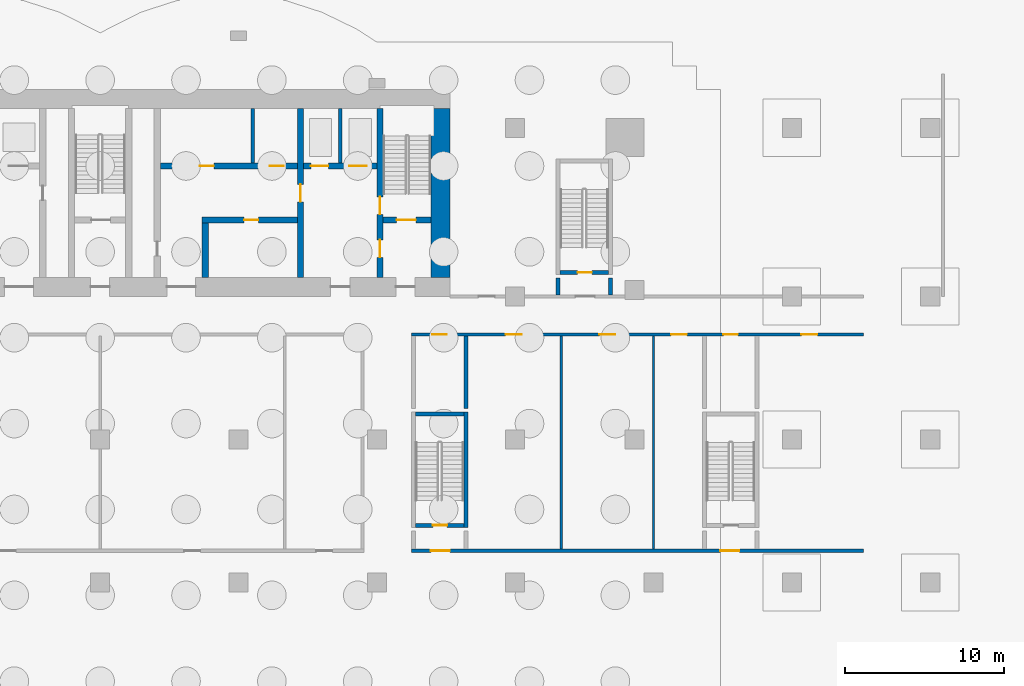
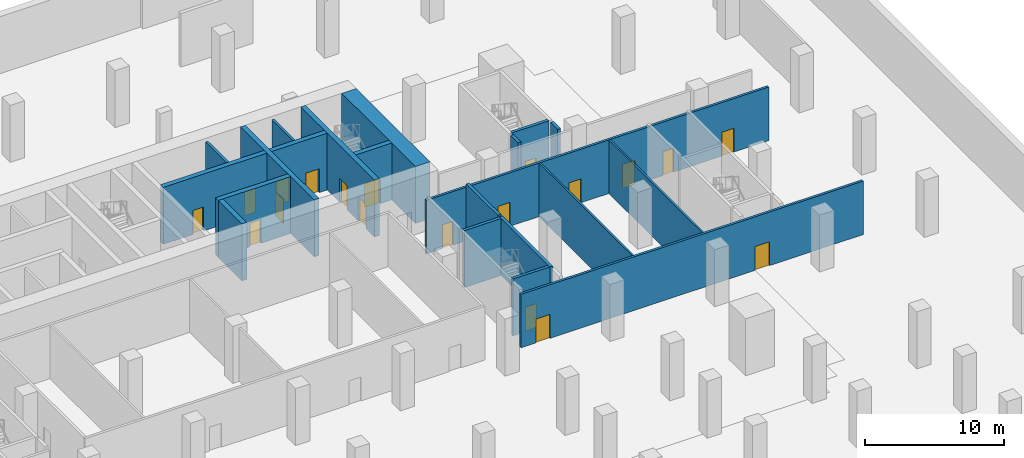
# One storey, part 5 of 10: 20 walls, 19 doors, 19 openings.
"""IFC4 building model written with IfcOpenShell, lengths in metres."""

import ifcopenshell
import ifcopenshell.guid

model = None  # the IFC model being written
_history = None  # IfcOwnerHistory: only IFC2X3 demands one
_inside = {}  # id of a spatial element -> (the spatial element, [elements in it])
_under = {}  # id of a project, library or spatial element -> (it, [spatial elements below it])
_declared = {}  # id of a project -> (the project, [libraries it declares])
_typed = {}  # id of a type object -> (the type object, [elements of that type])
_made_of = {}  # id of a material, layer set ... -> (it, [elements and type objects made of it])


def new_model(schema):
    """Start an empty IFC model of exactly this schema.

    Asked for "IFC4X3", IfcOpenShell would pick the latest addendum, in which some entities
    have other attributes; the version numbers below select the first issue.
    IFC2X3 requires an IfcOwnerHistory on every rooted entity: one is made here for all.
    """
    global model, _history
    if schema == "IFC4X3":
        model = ifcopenshell.file(schema_version=(4, 3, 0, 0))
    else:
        model = ifcopenshell.file(schema=schema)
    _inside.clear()
    _under.clear()
    _declared.clear()
    _typed.clear()
    _made_of.clear()
    _history = None
    if model.schema == "IFC2X3":
        org = make("IfcOrganization", Name="unknown")
        user = make(
            "IfcPersonAndOrganization",
            ThePerson=make("IfcPerson", FamilyName="unknown"),
            TheOrganization=org,
        )
        app = make(
            "IfcApplication",
            ApplicationDeveloper=org,
            Version="unknown",
            ApplicationFullName="unknown",
            ApplicationIdentifier="unknown",
        )
        _history = make(
            "IfcOwnerHistory",
            OwningUser=user,
            OwningApplication=app,
            ChangeAction="ADDED",
            CreationDate=0,
        )
    return model


def make(cls, **values):
    """One entity of the class cls with the attributes given. An attribute that is None is left unset."""
    return model.create_entity(
        cls, **{name: value for name, value in values.items() if value is not None}
    )


def rooted(cls, **values):
    """An entity with a GlobalId (a new one), such as an element, a storey or a relation."""
    return make(cls, GlobalId=ifcopenshell.guid.new(), OwnerHistory=_history, **values)


def si_unit(unit_type, name, prefix=None):
    """IfcSIUnit, for example si_unit("LENGTHUNIT", "METRE", prefix="MILLI")."""
    return make("IfcSIUnit", UnitType=unit_type, Prefix=prefix, Name=name)


def assignment(units):
    """IfcUnitAssignment: the units of a project."""
    return None if units is None else make("IfcUnitAssignment", Units=units)


def point(xyz):
    """IfcCartesianPoint."""
    return None if xyz is None else make("IfcCartesianPoint", Coordinates=xyz)


def direction(xyz):
    """IfcDirection."""
    return None if xyz is None else make("IfcDirection", DirectionRatios=xyz)


def frame(location, z_axis=None, x_axis=None):
    """IfcAxis2Placement3D, a coordinate frame: its origin and axes. An axis left out is left unset."""
    return make(
        "IfcAxis2Placement3D",
        Location=point(location),
        Axis=direction(z_axis),
        RefDirection=direction(x_axis),
    )


def frame_2d(location, x_axis=None):
    """IfcAxis2Placement2D, a coordinate frame in the plane: its origin and x axis."""
    return make(
        "IfcAxis2Placement2D", Location=point(location), RefDirection=direction(x_axis)
    )


def origin():
    """The frame at (0, 0, 0) with its axes left unset."""
    return frame((0.0, 0.0, 0.0))


def place(relative_to, where):
    """IfcLocalPlacement: puts the frame where relative to a parent placement (None: the world)."""
    return make(
        "IfcLocalPlacement", PlacementRelTo=relative_to, RelativePlacement=where
    )


def context(
    kind, dimensions, precision=None, world=None, true_north=None, identifier=None
):
    """IfcGeometricRepresentationContext, for example the 3D "Model" context."""
    return make(
        "IfcGeometricRepresentationContext",
        ContextIdentifier=identifier,
        ContextType=kind,
        CoordinateSpaceDimension=dimensions,
        Precision=precision,
        WorldCoordinateSystem=world,
        TrueNorth=true_north,
    )


def subcontext(parent, identifier, kind, view, scale=None):
    """IfcGeometricRepresentationSubContext, for example "Body" below "Model"."""
    return make(
        "IfcGeometricRepresentationSubContext",
        ContextIdentifier=identifier,
        ContextType=kind,
        ParentContext=parent,
        TargetScale=scale,
        TargetView=view,
    )


def project(units=None, contexts=None):
    """IfcProject with its units and contexts."""
    return rooted(
        "IfcProject",
        Name="project",
        RepresentationContexts=contexts,
        UnitsInContext=assignment(units),
    )


def spatial(cls, under=None, at=None, **own):
    """A site, building, storey or space (cls), placed at a placement, below another one or the project."""
    s = rooted(cls, ObjectPlacement=at, **own)
    if under is not None:
        _under.setdefault(under.id(), (under, []))[1].append(s)
    return s


def profile(cls, at=None, kind="AREA", **sizes):
    """A parametric profile (cls). Its sizes go by their IFC names, for example OverallWidth=200.0."""
    return make(cls, ProfileType=kind, Position=at, **sizes)


def rectangle(**sizes):
    """IfcRectangleProfileDef."""
    return profile("IfcRectangleProfileDef", **sizes)


def extrude(swept, where, along, depth):
    """IfcExtrudedAreaSolid: the profile swept, set in the frame where, extruded along a direction by depth."""
    return make(
        "IfcExtrudedAreaSolid",
        SweptArea=swept,
        Position=where,
        ExtrudedDirection=direction(along),
        Depth=depth,
    )


def shape(context_of_items, identifier, shape_type, items):
    """IfcShapeRepresentation: the items that make up one representation, for example the "Body"."""
    return make(
        "IfcShapeRepresentation",
        ContextOfItems=context_of_items,
        RepresentationIdentifier=identifier,
        RepresentationType=shape_type,
        Items=items,
    )


def material(Name=None, Category=None):
    """IfcMaterial."""
    return make("IfcMaterial", Name=Name, Category=Category)


def layer(
    of_material, thickness, ventilated=None, Name=None, Category=None, Priority=None
):
    """IfcMaterialLayer: one layer of a wall or slab, of a material (None: an air gap)."""
    return make(
        "IfcMaterialLayer",
        Material=of_material,
        LayerThickness=thickness,
        IsVentilated=ventilated,
        Name=Name,
        Category=Category,
        Priority=Priority,
    )


def layer_set(layers, Name=None):
    """IfcMaterialLayerSet."""
    return make("IfcMaterialLayerSet", MaterialLayers=layers, LayerSetName=Name)


def made_of(thing, what):
    """Note that an element or type object is made of a material, layer set ...; save() writes the relation."""
    if what is not None:
        _made_of.setdefault(what.id(), (what, []))[1].append(thing)
    return thing


def type_object(cls, material=None, **own):
    """A type object (cls), such as IfcWallType, which elements share."""
    return made_of(rooted(cls, **own), material)


def element(
    cls,
    number,
    at=None,
    inside=None,
    cuts=None,
    type_object=None,
    material=None,
    context=None,
    identifier="Body",
    shape_type=None,
    held_by="IfcProductDefinitionShape",
    body=None,
    shapes=None,
    **own,
):
    """One element of the class cls, such as IfcWall. Its Tag is "e" and its number.

    at: its placement. inside: the storey or other place that contains it. cuts: it is an
    opening in that element (IfcRelVoidsElement). A single representation is given by context,
    identifier, shape_type and body (its items); several are given by shapes. held_by: the class
    of the entity that holds the representations. save() writes the other relations.
    """
    e = rooted(cls, Tag="e%d" % number, ObjectPlacement=at, **own)
    if body is not None:
        shapes = [shape(context, identifier, shape_type, body)]
    if shapes is not None:
        e.Representation = make(held_by, Representations=shapes)
    if inside is not None:
        _inside.setdefault(inside.id(), (inside, []))[1].append(e)
    if cuts is not None:
        rooted(
            "IfcRelVoidsElement", RelatingBuildingElement=cuts, RelatedOpeningElement=e
        )
    if type_object is not None:
        _typed.setdefault(type_object.id(), (type_object, []))[1].append(e)
    return made_of(e, material)


def fill(opening, filler):
    """IfcRelFillsElement: the door or window that sits in an opening."""
    return rooted(
        "IfcRelFillsElement",
        RelatingOpeningElement=opening,
        RelatedBuildingElement=filler,
    )


def aggregate(whole, parts):
    """IfcRelAggregates: a whole, such as a stair, and the parts it consists of."""
    return rooted("IfcRelAggregates", RelatingObject=whole, RelatedObjects=parts)


def save(model, path):
    """Write the relations noted so far, then the file.

    IfcRelAggregates (storeys below a building ...), IfcRelContainedInSpatialStructure (elements
    in a storey), IfcRelDefinesByType, IfcRelAssociatesMaterial and IfcRelDeclares: one each for
    every whole, place, type object, material and project.
    """
    for whole, parts in _under.values():
        aggregate(whole, parts)
    for where, things in _inside.values():
        rooted(
            "IfcRelContainedInSpatialStructure",
            RelatedElements=things,
            RelatingStructure=where,
        )
    for kind, things in _typed.values():
        rooted("IfcRelDefinesByType", RelatedObjects=things, RelatingType=kind)
    for what, things in _made_of.values():
        rooted("IfcRelAssociatesMaterial", RelatedObjects=things, RelatingMaterial=what)
    for by, libraries in _declared.values():
        rooted("IfcRelDeclares", RelatingContext=by, RelatedDefinitions=libraries)
    model.write(path)


model = new_model("IFC4")

# Units and contexts
model_context = context("Model", 3, precision=1e-05, world=origin(), true_north=direction((0.0, 1.0)))
body_context = subcontext(model_context, "Body", "Model", "MODEL_VIEW")
ifc_project = project(units=[si_unit("LENGTHUNIT", "METRE"), si_unit("AREAUNIT", "SQUARE_METRE"), si_unit("VOLUMEUNIT", "CUBIC_METRE"), si_unit("PLANEANGLEUNIT", "RADIAN"), si_unit("MASSUNIT", "GRAM", prefix="KILO")], contexts=[model_context])

# Site, building, storey
site_placement = place(None, origin())
site = spatial("IfcSite", under=ifc_project, at=site_placement, CompositionType="ELEMENT")
building_placement = place(site_placement, origin())
building = spatial("IfcBuilding", under=site, at=building_placement, Name="Bicima Exchange Tower", CompositionType="ELEMENT")
storey_placement = place(building_placement, frame((0.0, 0.0, -15.0)))
storey = spatial("IfcBuildingStorey", under=building, at=storey_placement, Name="B3", CompositionType="ELEMENT", Elevation=-15.0)

# Wall
ifc_material_1 = material(Name="Gypsum board partition")
ifc_layer_1 = layer(ifc_material_1, 0.199951171875)
ifc_layer_set_1 = layer_set([ifc_layer_1], Name="Gypsum board partition")
wall_type_1 = type_object("IfcWallType", Name="Fire-rated gypsum partition 200 EI120", PredefinedType="PARTITIONING", material=ifc_layer_set_1)
wall_1_placement = place(storey_placement, frame((15.10009765625, -4.60009765625, 0.0), z_axis=(0.0, 0.0, 1.0), x_axis=(0.0, 1.0, 0.0)))
element("IfcWall", 1, at=wall_1_placement, inside=storey, type_object=wall_type_1, Name="partition wall 22", PredefinedType="PARTITIONING", context=body_context, shape_type="SweptSolid", body=[
    extrude(rectangle(XDim=3.400146484375, YDim=0.199951171875, at=frame_2d((1.7001953125, 0.0))), origin(), (0.0, 0.0, 1.0), 4.699951171875),
])

# Wall, openings, doors
ifc_layer_2 = layer(ifc_material_1, 0.199951171875)
ifc_layer_set_2 = layer_set([ifc_layer_2], Name="Gypsum board partition")
wall_type_2 = type_object("IfcWallType", Name="Fire-rated gypsum partition 200 EI60", PredefinedType="PARTITIONING", material=ifc_layer_set_2)
wall_2_placement = place(storey_placement, frame((19.574951171875, -29.0, 0.0), z_axis=(0.0, 0.0, 1.0), x_axis=(1.0, 0.0, 0.0)))
wall_2 = element("IfcWall", 2, at=wall_2_placement, inside=storey, type_object=wall_type_2, Name="partition wall 3", PredefinedType="PARTITIONING", context=body_context, shape_type="SweptSolid", body=[
    extrude(rectangle(XDim=28.425048828125, YDim=0.199951171875, at=frame_2d((14.21240234375, 0.0))), origin(), (0.0, 0.0, 1.0), 4.699951171875),
])
opening_1_placement = place(wall_2_placement, frame((1.22509765625, 0.0, 0.0)))
opening_1 = element("IfcOpeningElement", 3, at=opening_1_placement, cuts=wall_2, Name="Opening B3-005", PredefinedType="OPENING", context=body_context, shape_type="SweptSolid", body=[
    extrude(rectangle(XDim=1.199951171875, YDim=2.10009765625, at=frame_2d((0.60009765625, 1.050048828125))), frame((0.0, 0.11181640625, 0.0), z_axis=(0.0, -1.0, 0.0), x_axis=(1.0, 0.0, 0.0)), (0.0, 0.0, 1.0), 0.223876953125),
])
opening_2_placement = place(wall_2_placement, frame((19.425048828125, 0.0, 0.0)))
opening_2 = element("IfcOpeningElement", 4, at=opening_2_placement, cuts=wall_2, Name="Opening B3-007", PredefinedType="OPENING", context=body_context, shape_type="SweptSolid", body=[
    extrude(rectangle(XDim=1.199951171875, YDim=2.10009765625, at=frame_2d((0.60009765625, 1.050048828125))), frame((0.0, 0.11181640625, 0.0), z_axis=(0.0, -1.0, 0.0), x_axis=(1.0, 0.0, 0.0)), (0.0, 0.0, 1.0), 0.223876953125),
])
ifc_material_2 = material(Name="Steel fire door leaf", Category="steel")
door_type_1 = type_object("IfcDoorType", Name="Door 1200 swing FD30S", OperationType="SINGLE_SWING_LEFT", PredefinedType="DOOR", material=ifc_material_2)
door_1_placement = place(opening_1_placement, origin())
door_1 = element("IfcDoor", 5, at=door_1_placement, inside=storey, type_object=door_type_1, Name="Door", OperationType="SINGLE_SWING_LEFT", OverallHeight=2.10009765625, OverallWidth=1.199951171875, PredefinedType="DOOR", context=body_context, shape_type="SweptSolid", body=[
    extrude(rectangle(XDim=1.199951171875, YDim=2.10009765625, at=frame_2d((0.60009765625, 1.050048828125))), frame((0.0, 0.02490234375, 0.0), z_axis=(0.0, -1.0, 0.0), x_axis=(1.0, 0.0, 0.0)), (0.0, 0.0, 1.0), 0.050048828125),
])
fill(opening_1, door_1)
door_2_placement = place(opening_2_placement, origin())
door_2 = element("IfcDoor", 6, at=door_2_placement, inside=storey, type_object=door_type_1, Name="Door", OperationType="SINGLE_SWING_LEFT", OverallHeight=2.10009765625, OverallWidth=1.199951171875, PredefinedType="DOOR", context=body_context, shape_type="SweptSolid", body=[
    extrude(rectangle(XDim=1.199951171875, YDim=2.10009765625, at=frame_2d((0.60009765625, 1.050048828125))), frame((0.0, 0.02490234375, 0.0), z_axis=(0.0, -1.0, 0.0), x_axis=(1.0, 0.0, 0.0)), (0.0, 0.0, 1.0), 0.050048828125),
])
fill(opening_2, door_2)

wall_3_placement = place(storey_placement, frame((19.574951171875, -15.39990234375, 0.0), z_axis=(0.0, 0.0, 1.0), x_axis=(1.0, 0.0, 0.0)))
wall_3 = element("IfcWall", 7, at=wall_3_placement, inside=storey, type_object=wall_type_2, Name="partition wall 14", PredefinedType="PARTITIONING", context=body_context, shape_type="SweptSolid", body=[
    extrude(rectangle(XDim=28.425048828125, YDim=0.199951171875, at=frame_2d((14.21240234375, 0.0))), origin(), (0.0, 0.0, 1.0), 4.699951171875),
])
opening_3_placement = place(wall_3_placement, frame((1.324951171875, 0.0, 0.0)))
opening_3 = element("IfcOpeningElement", 8, at=opening_3_placement, cuts=wall_3, Name="Opening B3-024", PredefinedType="OPENING", context=body_context, shape_type="SweptSolid", body=[
    extrude(rectangle(XDim=0.89990234375, YDim=2.10009765625, at=frame_2d((0.449951171875, 1.050048828125))), frame((0.0, 0.11181640625, 0.0), z_axis=(0.0, -1.0, 0.0), x_axis=(1.0, 0.0, 0.0)), (0.0, 0.0, 1.0), 0.223876953125),
])
opening_4_placement = place(wall_3_placement, frame((5.925048828125, 0.0, 0.0)))
opening_4 = element("IfcOpeningElement", 9, at=opening_4_placement, cuts=wall_3, Name="Opening B3-025", PredefinedType="OPENING", context=body_context, shape_type="SweptSolid", body=[
    extrude(rectangle(XDim=1.0, YDim=2.10009765625, at=frame_2d((0.5, 1.050048828125))), frame((0.0, 0.11181640625, 0.0), z_axis=(0.0, -1.0, 0.0), x_axis=(1.0, 0.0, 0.0)), (0.0, 0.0, 1.0), 0.223876953125),
])
opening_5_placement = place(wall_3_placement, frame((11.824951171875, 0.0, 0.0)))
opening_5 = element("IfcOpeningElement", 10, at=opening_5_placement, cuts=wall_3, Name="Opening B3-026", PredefinedType="OPENING", context=body_context, shape_type="SweptSolid", body=[
    extrude(rectangle(XDim=1.0, YDim=2.10009765625, at=frame_2d((0.5, 1.050048828125))), frame((0.0, 0.11181640625, 0.0), z_axis=(0.0, -1.0, 0.0), x_axis=(1.0, 0.0, 0.0)), (0.0, 0.0, 1.0), 0.223876953125),
])
opening_6_placement = place(wall_3_placement, frame((16.324951171875, 0.0, 0.0)))
opening_6 = element("IfcOpeningElement", 11, at=opening_6_placement, cuts=wall_3, Name="Opening B3-027", PredefinedType="OPENING", context=body_context, shape_type="SweptSolid", body=[
    extrude(rectangle(XDim=1.0, YDim=2.10009765625, at=frame_2d((0.5, 1.050048828125))), frame((0.0, 0.11181640625, 0.0), z_axis=(0.0, -1.0, 0.0), x_axis=(1.0, 0.0, 0.0)), (0.0, 0.0, 1.0), 0.223876953125),
])
opening_7_placement = place(wall_3_placement, frame((19.625, 0.0, 0.0)))
opening_7 = element("IfcOpeningElement", 12, at=opening_7_placement, cuts=wall_3, Name="Opening B3-028", PredefinedType="OPENING", context=body_context, shape_type="SweptSolid", body=[
    extrude(rectangle(XDim=0.89990234375, YDim=2.10009765625, at=frame_2d((0.449951171875, 1.050048828125))), frame((0.0, 0.11181640625, 0.0), z_axis=(0.0, -1.0, 0.0), x_axis=(1.0, 0.0, 0.0)), (0.0, 0.0, 1.0), 0.223876953125),
])
opening_8_placement = place(wall_3_placement, frame((24.52490234375, 0.0, 0.0)))
opening_8 = element("IfcOpeningElement", 13, at=opening_8_placement, cuts=wall_3, Name="Opening B3-029", PredefinedType="OPENING", context=body_context, shape_type="SweptSolid", body=[
    extrude(rectangle(XDim=1.0, YDim=2.10009765625, at=frame_2d((0.5, 1.050048828125))), frame((0.0, 0.11181640625, 0.0), z_axis=(0.0, -1.0, 0.0), x_axis=(1.0, 0.0, 0.0)), (0.0, 0.0, 1.0), 0.223876953125),
])
door_type_2 = type_object("IfcDoorType", Name="Door 1000 swing FD30S", OperationType="SINGLE_SWING_LEFT", PredefinedType="DOOR", material=ifc_material_2)
door_3_placement = place(opening_4_placement, frame((1.0, 0.0, 0.0), z_axis=(0.0, 0.0, 1.0), x_axis=(-1.0, 0.0, 0.0)))
door_3 = element("IfcDoor", 14, at=door_3_placement, inside=storey, type_object=door_type_2, Name="Door", OperationType="SINGLE_SWING_LEFT", OverallHeight=2.10009765625, OverallWidth=1.0, PredefinedType="DOOR", context=body_context, shape_type="SweptSolid", body=[
    extrude(rectangle(XDim=1.0, YDim=2.10009765625, at=frame_2d((0.5, 1.050048828125))), frame((0.0, 0.02490234375, 0.0), z_axis=(0.0, -1.0, 0.0), x_axis=(1.0, 0.0, 0.0)), (0.0, 0.0, 1.0), 0.050048828125),
])
fill(opening_4, door_3)
door_4_placement = place(opening_5_placement, frame((1.0, 0.0, 0.0), z_axis=(0.0, 0.0, 1.0), x_axis=(-1.0, 0.0, 0.0)))
door_4 = element("IfcDoor", 15, at=door_4_placement, inside=storey, type_object=door_type_2, Name="Door", OperationType="SINGLE_SWING_RIGHT", OverallHeight=2.10009765625, OverallWidth=1.0, PredefinedType="DOOR", context=body_context, shape_type="SweptSolid", body=[
    extrude(rectangle(XDim=1.0, YDim=2.10009765625, at=frame_2d((0.5, 1.050048828125))), frame((0.0, 0.02490234375, 0.0), z_axis=(0.0, -1.0, 0.0), x_axis=(1.0, 0.0, 0.0)), (0.0, 0.0, 1.0), 0.050048828125),
])
fill(opening_5, door_4)
door_5_placement = place(opening_6_placement, frame((1.0, 0.0, 0.0), z_axis=(0.0, 0.0, 1.0), x_axis=(-1.0, 0.0, 0.0)))
door_5 = element("IfcDoor", 16, at=door_5_placement, inside=storey, type_object=door_type_2, Name="Door", OperationType="SINGLE_SWING_RIGHT", OverallHeight=2.10009765625, OverallWidth=1.0, PredefinedType="DOOR", context=body_context, shape_type="SweptSolid", body=[
    extrude(rectangle(XDim=1.0, YDim=2.10009765625, at=frame_2d((0.5, 1.050048828125))), frame((0.0, 0.02490234375, 0.0), z_axis=(0.0, -1.0, 0.0), x_axis=(1.0, 0.0, 0.0)), (0.0, 0.0, 1.0), 0.050048828125),
])
fill(opening_6, door_5)
door_6_placement = place(opening_8_placement, frame((1.0, 0.0, 0.0), z_axis=(0.0, 0.0, 1.0), x_axis=(-1.0, 0.0, 0.0)))
door_6 = element("IfcDoor", 17, at=door_6_placement, inside=storey, type_object=door_type_2, Name="Door", OperationType="SINGLE_SWING_RIGHT", OverallHeight=2.10009765625, OverallWidth=1.0, PredefinedType="DOOR", context=body_context, shape_type="SweptSolid", body=[
    extrude(rectangle(XDim=1.0, YDim=2.10009765625, at=frame_2d((0.5, 1.050048828125))), frame((0.0, 0.02490234375, 0.0), z_axis=(0.0, -1.0, 0.0), x_axis=(1.0, 0.0, 0.0)), (0.0, 0.0, 1.0), 0.050048828125),
])
fill(opening_8, door_6)
door_type_3 = type_object("IfcDoorType", Name="Door 900 swing FD30S", OperationType="SINGLE_SWING_LEFT", PredefinedType="DOOR", material=ifc_material_2)
door_7_placement = place(opening_3_placement, frame((0.89990234375, 0.0, 0.0), z_axis=(0.0, 0.0, 1.0), x_axis=(-1.0, 0.0, 0.0)))
door_7 = element("IfcDoor", 18, at=door_7_placement, inside=storey, type_object=door_type_3, Name="Door", OperationType="SINGLE_SWING_RIGHT", OverallHeight=2.10009765625, OverallWidth=0.89990234375, PredefinedType="DOOR", context=body_context, shape_type="SweptSolid", body=[
    extrude(rectangle(XDim=0.89990234375, YDim=2.10009765625, at=frame_2d((0.449951171875, 1.050048828125))), frame((0.0, 0.02490234375, 0.0), z_axis=(0.0, -1.0, 0.0), x_axis=(1.0, 0.0, 0.0)), (0.0, 0.0, 1.0), 0.050048828125),
])
fill(opening_3, door_7)
door_8_placement = place(opening_7_placement, frame((0.89990234375, 0.0, 0.0), z_axis=(0.0, 0.0, 1.0), x_axis=(-1.0, 0.0, 0.0)))
door_8 = element("IfcDoor", 19, at=door_8_placement, inside=storey, type_object=door_type_3, Name="Door", OperationType="SINGLE_SWING_LEFT", OverallHeight=2.10009765625, OverallWidth=0.89990234375, PredefinedType="DOOR", context=body_context, shape_type="SweptSolid", body=[
    extrude(rectangle(XDim=0.89990234375, YDim=2.10009765625, at=frame_2d((0.449951171875, 1.050048828125))), frame((0.0, 0.02490234375, 0.0), z_axis=(0.0, -1.0, 0.0), x_axis=(1.0, 0.0, 0.0)), (0.0, 0.0, 1.0), 0.050048828125),
])
fill(opening_7, door_8)

# Walls
wall_4_placement = place(storey_placement, frame((9.60009765625, -4.60009765625, 0.0), z_axis=(0.0, 0.0, 1.0), x_axis=(0.0, 1.0, 0.0)))
element("IfcWall", 20, at=wall_4_placement, inside=storey, type_object=wall_type_2, Name="partition wall 20", PredefinedType="PARTITIONING", context=body_context, shape_type="SweptSolid", body=[
    extrude(rectangle(XDim=3.400146484375, YDim=0.199951171875, at=frame_2d((1.7001953125, 0.0))), origin(), (0.0, 0.0, 1.0), 4.699951171875),
])
ifc_layer_3 = layer(ifc_material_1, 0.14990234375)
ifc_layer_set_3 = layer_set([ifc_layer_3], Name="Gypsum board partition")
wall_type_3 = type_object("IfcWallType", Name="Gypsum partition 150", PredefinedType="PARTITIONING", material=ifc_layer_set_3)
for number, where, z_axis, x_axis, name in (
    (21, (29.0, -28.89990234375, 0.0), (0.0, 0.0, 1.0), (0.0, 1.0, 0.0), "partition wall 39"),
    (22, (34.800048828125, -28.89990234375, 0.0), (0.0, 0.0, 1.0), (0.0, 1.0, 0.0), "partition wall 41"),
):
    element("IfcWall", number, at=place(storey_placement, frame(where, z_axis=z_axis, x_axis=x_axis)), inside=storey, type_object=wall_type_3, Name=name, PredefinedType="PARTITIONING", context=body_context, shape_type="SweptSolid", body=[
        extrude(rectangle(XDim=13.39990234375, YDim=0.14990234375, at=frame_2d((6.699951171875, 0.0))), origin(), (0.0, 0.0, 1.0), 4.699951171875),
    ])
ifc_material_3 = material(Name="Concrete C60/75", Category="concrete")
ifc_layer_4 = layer(ifc_material_3, 1.199951171875)
ifc_layer_set_4 = layer_set([ifc_layer_4], Name="Concrete C60/75")
wall_type_4 = type_object("IfcWallType", Name="RC core wall 1200 C60/75", PredefinedType="SHEAR", material=ifc_layer_set_4)
wall_5_placement = place(storey_placement, frame((21.39990234375, -11.800048828125, 0.0), z_axis=(0.0, 0.0, 1.0), x_axis=(0.0, 1.0, 0.0)))
element("IfcWall", 23, at=wall_5_placement, inside=storey, type_object=wall_type_4, Name="Core wall east", PredefinedType="SHEAR", context=body_context, shape_type="SweptSolid", body=[
    extrude(rectangle(XDim=10.60009765625, YDim=1.199951171875, at=frame_2d((5.300048828125, 0.0))), origin(), (0.0, 0.0, 1.0), 5.0),
])
ifc_material_4 = material(Name="Concrete C50/60", Category="concrete")
ifc_layer_5 = layer(ifc_material_4, 0.25)
ifc_layer_set_5 = layer_set([ifc_layer_5], Name="Concrete C50/60")
wall_type_5 = type_object("IfcWallType", Name="RC core wall 250 C50/60", PredefinedType="SHEAR", material=ifc_layer_set_5)
wall_6_placement = place(storey_placement, frame((23.0, -20.050048828125, 0.0), z_axis=(0.0, 0.0, 1.0), x_axis=(0.0, 1.0, 0.0)))
element("IfcWall", 24, at=wall_6_placement, inside=storey, type_object=wall_type_5, Name="stair wall 37", PredefinedType="SHEAR", context=body_context, shape_type="SweptSolid", body=[
    extrude(rectangle(XDim=4.550048828125, YDim=0.25, at=frame_2d((2.27490234375, 0.0))), origin(), (0.0, 0.0, 1.0), 5.0),
])
for number, where, z_axis, x_axis, name in (
    (25, (28.800048828125, -12.89990234375, 0.0), (0.0, 0.0, 1.0), (0.0, 1.0, 0.0), "stair wall 38"),
    (26, (32.10009765625, -12.89990234375, 0.0), (0.0, 0.0, 1.0), (0.0, 1.0, 0.0), "stair wall 40"),
):
    element("IfcWall", number, at=place(storey_placement, frame(where, z_axis=z_axis, x_axis=x_axis)), inside=storey, type_object=wall_type_5, Name=name, PredefinedType="SHEAR", context=body_context, shape_type="SweptSolid", body=[
        extrude(rectangle(XDim=1.0498046875, YDim=0.25, at=frame_2d((0.52490234375, 0.0))), origin(), (0.0, 0.0, 1.0), 5.0),
    ])

# Wall, opening, door
ifc_layer_6 = layer(ifc_material_4, 0.39990234375)
ifc_layer_set_6 = layer_set([ifc_layer_6], Name="Concrete C50/60")
wall_type_6 = type_object("IfcWallType", Name="RC core wall 400 C50/60", PredefinedType="SHEAR", material=ifc_layer_set_6)
wall_7_placement = place(storey_placement, frame((17.800048828125, -8.199951171875, 0.0), z_axis=(0.0, 0.0, 1.0), x_axis=(1.0, 0.0, 0.0)))
wall_7 = element("IfcWall", 27, at=wall_7_placement, inside=storey, type_object=wall_type_6, Name="stair wall 5", PredefinedType="SHEAR", context=body_context, shape_type="SweptSolid", body=[
    extrude(rectangle(XDim=3.0, YDim=0.39990234375, at=frame_2d((1.5, 0.0))), origin(), (0.0, 0.0, 1.0), 5.0),
])
opening_9_placement = place(wall_7_placement, frame((0.85009765625, 0.0, 0.0)))
opening_9 = element("IfcOpeningElement", 28, at=opening_9_placement, cuts=wall_7, Name="Opening B3-C04", PredefinedType="OPENING", context=body_context, shape_type="SweptSolid", body=[
    extrude(rectangle(XDim=1.199951171875, YDim=2.10009765625, at=frame_2d((0.60009765625, 1.050048828125))), frame((0.0, 0.2119140625, 0.0), z_axis=(0.0, -1.0, 0.0), x_axis=(1.0, 0.0, 0.0)), (0.0, 0.0, 1.0), 0.423828125),
])
door_type_4 = type_object("IfcDoorType", Name="Door 1200 swing FD60S", OperationType="SINGLE_SWING_LEFT", PredefinedType="DOOR", material=ifc_material_2)
door_9_placement = place(opening_9_placement, origin())
door_9 = element("IfcDoor", 29, at=door_9_placement, inside=storey, type_object=door_type_4, Name="Core door", OperationType="SINGLE_SWING_RIGHT", OverallHeight=2.10009765625, OverallWidth=1.199951171875, PredefinedType="DOOR", context=body_context, shape_type="SweptSolid", body=[
    extrude(rectangle(XDim=1.199951171875, YDim=2.10009765625, at=frame_2d((0.60009765625, 1.050048828125))), frame((0.0, 0.02490234375, 0.0), z_axis=(0.0, -1.0, 0.0), x_axis=(1.0, 0.0, 0.0)), (0.0, 0.0, 1.0), 0.050048828125),
])
fill(opening_9, door_9)

# Wall, openings, doors
wall_8_placement = place(storey_placement, frame((17.60009765625, -11.800048828125, 0.0), z_axis=(0.0, 0.0, 1.0), x_axis=(0.0, 1.0, 0.0)))
wall_8 = element("IfcWall", 30, at=wall_8_placement, inside=storey, type_object=wall_type_6, Name="stair wall 23", PredefinedType="SHEAR", context=body_context, shape_type="SweptSolid", body=[
    extrude(rectangle(XDim=10.60009765625, YDim=0.39990234375, at=frame_2d((5.300048828125, 0.0))), origin(), (0.0, 0.0, 1.0), 5.0),
])
opening_10_placement = place(wall_8_placement, frame((1.25, 0.0, 0.0)))
opening_10 = element("IfcOpeningElement", 31, at=opening_10_placement, cuts=wall_8, Name="Opening B3-C05", PredefinedType="OPENING", context=body_context, shape_type="SweptSolid", body=[
    extrude(rectangle(XDim=1.10009765625, YDim=2.10009765625, at=frame_2d((0.550048828125, 1.050048828125))), frame((0.0, 0.2119140625, 0.0), z_axis=(0.0, -1.0, 0.0), x_axis=(1.0, 0.0, 0.0)), (0.0, 0.0, 1.0), 0.423828125),
])
opening_11_placement = place(wall_8_placement, frame((3.949951171875, 0.0, 0.0)))
opening_11 = element("IfcOpeningElement", 32, at=opening_11_placement, cuts=wall_8, Name="Opening B3-C08", PredefinedType="OPENING", context=body_context, shape_type="SweptSolid", body=[
    extrude(rectangle(XDim=1.10009765625, YDim=2.10009765625, at=frame_2d((0.550048828125, 1.050048828125))), frame((0.0, 0.2119140625, 0.0), z_axis=(0.0, -1.0, 0.0), x_axis=(1.0, 0.0, 0.0)), (0.0, 0.0, 1.0), 0.423828125),
])
door_type_5 = type_object("IfcDoorType", Name="Door 1100 swing FD60S", OperationType="SINGLE_SWING_LEFT", PredefinedType="DOOR", material=ifc_material_2)
door_10_placement = place(opening_10_placement, origin())
door_10 = element("IfcDoor", 33, at=door_10_placement, inside=storey, type_object=door_type_5, Name="Core door", OperationType="SINGLE_SWING_LEFT", OverallHeight=2.10009765625, OverallWidth=1.10009765625, PredefinedType="DOOR", context=body_context, shape_type="SweptSolid", body=[
    extrude(rectangle(XDim=1.10009765625, YDim=2.10009765625, at=frame_2d((0.550048828125, 1.050048828125))), frame((0.0, 0.02490234375, 0.0), z_axis=(0.0, -1.0, 0.0), x_axis=(1.0, 0.0, 0.0)), (0.0, 0.0, 1.0), 0.050048828125),
])
fill(opening_10, door_10)
door_11_placement = place(opening_11_placement, origin())
door_11 = element("IfcDoor", 34, at=door_11_placement, inside=storey, type_object=door_type_5, Name="Core door", OperationType="SINGLE_SWING_RIGHT", OverallHeight=2.10009765625, OverallWidth=1.10009765625, PredefinedType="DOOR", context=body_context, shape_type="SweptSolid", body=[
    extrude(rectangle(XDim=1.10009765625, YDim=2.10009765625, at=frame_2d((0.550048828125, 1.050048828125))), frame((0.0, 0.02490234375, 0.0), z_axis=(0.0, -1.0, 0.0), x_axis=(1.0, 0.0, 0.0)), (0.0, 0.0, 1.0), 0.050048828125),
])
fill(opening_11, door_11)

# Wall, opening, door
ifc_layer_7 = layer(ifc_material_3, 0.39990234375)
ifc_layer_set_7 = layer_set([ifc_layer_7], Name="Concrete C60/75")
wall_type_7 = type_object("IfcWallType", Name="RC core wall 400 C60/75", PredefinedType="SHEAR", material=ifc_layer_set_7)
wall_9_placement = place(storey_placement, frame((6.39990234375, -8.199951171875, 0.0), z_axis=(0.0, 0.0, 1.0), x_axis=(1.0, 0.0, 0.0)))
wall_9 = element("IfcWall", 35, at=wall_9_placement, inside=storey, type_object=wall_type_7, Name="shear wall 4", PredefinedType="SHEAR", context=body_context, shape_type="SweptSolid", body=[
    extrude(rectangle(XDim=6.0, YDim=0.39990234375, at=frame_2d((3.0, 0.0))), origin(), (0.0, 0.0, 1.0), 5.0),
])
opening_12_placement = place(wall_9_placement, frame((2.64990234375, 0.0, 0.0)))
opening_12 = element("IfcOpeningElement", 36, at=opening_12_placement, cuts=wall_9, Name="Opening B3-C16", PredefinedType="OPENING", context=body_context, shape_type="SweptSolid", body=[
    extrude(rectangle(XDim=0.89990234375, YDim=2.10009765625, at=frame_2d((0.449951171875, 1.050048828125))), frame((0.0, 0.2119140625, 0.0), z_axis=(0.0, -1.0, 0.0), x_axis=(1.0, 0.0, 0.0)), (0.0, 0.0, 1.0), 0.423828125),
])
door_12_placement = place(opening_12_placement, frame((0.89990234375, 0.0, 0.0), z_axis=(0.0, 0.0, 1.0), x_axis=(-1.0, 0.0, 0.0)))
door_12 = element("IfcDoor", 37, at=door_12_placement, inside=storey, type_object=door_type_3, Name="Core door", OperationType="SINGLE_SWING_LEFT", OverallHeight=2.10009765625, OverallWidth=0.89990234375, PredefinedType="DOOR", context=body_context, shape_type="SweptSolid", body=[
    extrude(rectangle(XDim=0.89990234375, YDim=2.10009765625, at=frame_2d((0.449951171875, 1.050048828125))), frame((0.0, 0.02490234375, 0.0), z_axis=(0.0, -1.0, 0.0), x_axis=(1.0, 0.0, 0.0)), (0.0, 0.0, 1.0), 0.050048828125),
])
fill(opening_12, door_12)

# Wall, openings, doors
wall_10_placement = place(storey_placement, frame((3.800048828125, -4.800048828125, 0.0), z_axis=(0.0, 0.0, 1.0), x_axis=(1.0, 0.0, 0.0)))
wall_10 = element("IfcWall", 38, at=wall_10_placement, inside=storey, type_object=wall_type_7, Name="shear wall 7", PredefinedType="SHEAR", context=body_context, shape_type="SweptSolid", body=[
    extrude(rectangle(XDim=13.599853515625, YDim=0.39990234375, at=frame_2d((6.7998046875, 0.0))), origin(), (0.0, 0.0, 1.0), 5.0),
])
opening_13_placement = place(wall_10_placement, frame((9.449951171875, 0.0, 0.0)))
opening_13 = element("IfcOpeningElement", 39, at=opening_13_placement, cuts=wall_10, Name="Opening LD-FF2-B3", PredefinedType="OPENING", context=body_context, shape_type="SweptSolid", body=[
    extrude(rectangle(XDim=1.10009765625, YDim=2.10009765625, at=frame_2d((0.550048828125, 1.050048828125))), frame((0.0, 0.2119140625, 0.0), z_axis=(0.0, -1.0, 0.0), x_axis=(1.0, 0.0, 0.0)), (0.0, 0.0, 1.0), 0.423828125),
])
opening_14_placement = place(wall_10_placement, frame((11.85009765625, 0.0, 0.0)))
opening_14 = element("IfcOpeningElement", 40, at=opening_14_placement, cuts=wall_10, Name="Opening LD-SV1-B3", PredefinedType="OPENING", context=body_context, shape_type="SweptSolid", body=[
    extrude(rectangle(XDim=1.10009765625, YDim=2.10009765625, at=frame_2d((0.550048828125, 1.050048828125))), frame((0.0, 0.2119140625, 0.0), z_axis=(0.0, -1.0, 0.0), x_axis=(1.0, 0.0, 0.0)), (0.0, 0.0, 1.0), 0.423828125),
])
opening_15_placement = place(wall_10_placement, frame((2.449951171875, 0.0, 0.0)))
opening_15 = element("IfcOpeningElement", 41, at=opening_15_placement, cuts=wall_10, Name="Opening B3-C12", PredefinedType="OPENING", context=body_context, shape_type="SweptSolid", body=[
    extrude(rectangle(XDim=0.89990234375, YDim=2.10009765625, at=frame_2d((0.449951171875, 1.050048828125))), frame((0.0, 0.2119140625, 0.0), z_axis=(0.0, -1.0, 0.0), x_axis=(1.0, 0.0, 0.0)), (0.0, 0.0, 1.0), 0.423828125),
])
opening_16_placement = place(wall_10_placement, frame((6.85009765625, 0.0, 0.0)))
opening_16 = element("IfcOpeningElement", 42, at=opening_16_placement, cuts=wall_10, Name="Opening B3-C13", PredefinedType="OPENING", context=body_context, shape_type="SweptSolid", body=[
    extrude(rectangle(XDim=0.89990234375, YDim=2.10009765625, at=frame_2d((0.449951171875, 1.050048828125))), frame((0.0, 0.2119140625, 0.0), z_axis=(0.0, -1.0, 0.0), x_axis=(1.0, 0.0, 0.0)), (0.0, 0.0, 1.0), 0.423828125),
])
door_13_placement = place(opening_15_placement, origin())
door_13 = element("IfcDoor", 43, at=door_13_placement, inside=storey, type_object=door_type_3, Name="Core door", OperationType="SINGLE_SWING_RIGHT", OverallHeight=2.10009765625, OverallWidth=0.89990234375, PredefinedType="DOOR", context=body_context, shape_type="SweptSolid", body=[
    extrude(rectangle(XDim=0.89990234375, YDim=2.10009765625, at=frame_2d((0.449951171875, 1.050048828125))), frame((0.0, 0.02490234375, 0.0), z_axis=(0.0, -1.0, 0.0), x_axis=(1.0, 0.0, 0.0)), (0.0, 0.0, 1.0), 0.050048828125),
])
fill(opening_15, door_13)
door_14_placement = place(opening_16_placement, origin())
door_14 = element("IfcDoor", 44, at=door_14_placement, inside=storey, type_object=door_type_3, Name="Core door", OperationType="SINGLE_SWING_LEFT", OverallHeight=2.10009765625, OverallWidth=0.89990234375, PredefinedType="DOOR", context=body_context, shape_type="SweptSolid", body=[
    extrude(rectangle(XDim=0.89990234375, YDim=2.10009765625, at=frame_2d((0.449951171875, 1.050048828125))), frame((0.0, 0.02490234375, 0.0), z_axis=(0.0, -1.0, 0.0), x_axis=(1.0, 0.0, 0.0)), (0.0, 0.0, 1.0), 0.050048828125),
])
fill(opening_16, door_14)
ifc_material_5 = material(Name="Stainless steel", Category="steel")
door_type_6 = type_object("IfcDoorType", Name="Lift landing door 1100 sliding", OperationType="DOUBLE_DOOR_SLIDING", PredefinedType="DOOR", material=ifc_material_5)
door_15_placement = place(opening_13_placement, origin())
door_15 = element("IfcDoor", 45, at=door_15_placement, inside=storey, type_object=door_type_6, Name="Lift landing door FF2", OperationType="DOUBLE_DOOR_SLIDING", OverallHeight=2.10009765625, OverallWidth=1.10009765625, PredefinedType="DOOR", context=body_context, shape_type="SweptSolid", body=[
    extrude(rectangle(XDim=1.10009765625, YDim=2.10009765625, at=frame_2d((0.550048828125, 1.050048828125))), frame((0.0, 0.02490234375, 0.0), z_axis=(0.0, -1.0, 0.0), x_axis=(1.0, 0.0, 0.0)), (0.0, 0.0, 1.0), 0.050048828125),
])
fill(opening_13, door_15)
door_16_placement = place(opening_14_placement, origin())
door_16 = element("IfcDoor", 46, at=door_16_placement, inside=storey, type_object=door_type_6, Name="Lift landing door SV1", OperationType="DOUBLE_DOOR_SLIDING", OverallHeight=2.10009765625, OverallWidth=1.10009765625, PredefinedType="DOOR", context=body_context, shape_type="SweptSolid", body=[
    extrude(rectangle(XDim=1.10009765625, YDim=2.10009765625, at=frame_2d((0.550048828125, 1.050048828125))), frame((0.0, 0.02490234375, 0.0), z_axis=(0.0, -1.0, 0.0), x_axis=(1.0, 0.0, 0.0)), (0.0, 0.0, 1.0), 0.050048828125),
])
fill(opening_14, door_16)

# Wall
wall_11_placement = place(storey_placement, frame((6.60009765625, -11.800048828125, 0.0), z_axis=(0.0, 0.0, 1.0), x_axis=(0.0, 1.0, 0.0)))
element("IfcWall", 47, at=wall_11_placement, inside=storey, type_object=wall_type_7, Name="shear wall 19", PredefinedType="SHEAR", context=body_context, shape_type="SweptSolid", body=[
    extrude(rectangle(XDim=3.400146484375, YDim=0.39990234375, at=frame_2d((1.7001953125, 0.0))), origin(), (0.0, 0.0, 1.0), 5.0),
])

# Wall, opening, door
wall_12_placement = place(storey_placement, frame((12.60009765625, -11.800048828125, 0.0), z_axis=(0.0, 0.0, 1.0), x_axis=(0.0, 1.0, 0.0)))
wall_12 = element("IfcWall", 48, at=wall_12_placement, inside=storey, type_object=wall_type_7, Name="shear wall 21", PredefinedType="SHEAR", context=body_context, shape_type="SweptSolid", body=[
    extrude(rectangle(XDim=10.60009765625, YDim=0.39990234375, at=frame_2d((5.300048828125, 0.0))), origin(), (0.0, 0.0, 1.0), 5.0),
])
opening_17_placement = place(wall_12_placement, frame((4.75, 0.0, 0.0)))
opening_17 = element("IfcOpeningElement", 49, at=opening_17_placement, cuts=wall_12, Name="Opening B3-C09", PredefinedType="OPENING", context=body_context, shape_type="SweptSolid", body=[
    extrude(rectangle(XDim=1.10009765625, YDim=2.10009765625, at=frame_2d((0.550048828125, 1.050048828125))), frame((0.0, 0.2119140625, 0.0), z_axis=(0.0, -1.0, 0.0), x_axis=(1.0, 0.0, 0.0)), (0.0, 0.0, 1.0), 0.423828125),
])
door_17_placement = place(opening_17_placement, frame((1.10009765625, 0.0, 0.0), z_axis=(0.0, 0.0, 1.0), x_axis=(-1.0, 0.0, 0.0)))
door_17 = element("IfcDoor", 50, at=door_17_placement, inside=storey, type_object=door_type_5, Name="Core door", OperationType="SINGLE_SWING_RIGHT", OverallHeight=2.10009765625, OverallWidth=1.10009765625, PredefinedType="DOOR", context=body_context, shape_type="SweptSolid", body=[
    extrude(rectangle(XDim=1.10009765625, YDim=2.10009765625, at=frame_2d((0.550048828125, 1.050048828125))), frame((0.0, 0.02490234375, 0.0), z_axis=(0.0, -1.0, 0.0), x_axis=(1.0, 0.0, 0.0)), (0.0, 0.0, 1.0), 0.050048828125),
])
fill(opening_17, door_17)

ifc_layer_8 = layer(ifc_material_4, 0.25)
ifc_layer_set_8 = layer_set([ifc_layer_8], Name="Concrete C50/60")
wall_type_8 = type_object("IfcWallType", Name="RC stair enclosure wall 250 C50/60", PredefinedType="SHEAR", material=ifc_layer_set_8)
wall_13_placement = place(storey_placement, frame((28.925048828125, -11.5, 0.0), z_axis=(0.0, 0.0, 1.0), x_axis=(1.0, 0.0, 0.0)))
wall_13 = element("IfcWall", 51, at=wall_13_placement, inside=storey, type_object=wall_type_8, Name="East end exit stair wall S", PredefinedType="SHEAR", context=body_context, shape_type="SweptSolid", body=[
    extrude(rectangle(XDim=3.050048828125, YDim=0.25, at=frame_2d((1.52490234375, 0.0))), origin(), (0.0, 0.0, 1.0), 5.0),
])
opening_18_placement = place(wall_13_placement, frame((1.10009765625, 0.0, 0.0)))
opening_18 = element("IfcOpeningElement", 52, at=opening_18_placement, cuts=wall_13, Name="Opening B3-012", PredefinedType="OPENING", context=body_context, shape_type="SweptSolid", body=[
    extrude(rectangle(XDim=0.89990234375, YDim=2.10009765625, at=frame_2d((0.449951171875, 1.050048828125))), frame((0.0, 0.136962890625, 0.0), z_axis=(0.0, -1.0, 0.0), x_axis=(1.0, 0.0, 0.0)), (0.0, 0.0, 1.0), 0.27392578125),
])
door_type_7 = type_object("IfcDoorType", Name="Door 900 swing FD60S", OperationType="SINGLE_SWING_LEFT", PredefinedType="DOOR", material=ifc_material_2)
door_18_placement = place(opening_18_placement, origin())
door_18 = element("IfcDoor", 53, at=door_18_placement, inside=storey, type_object=door_type_7, Name="Door", OperationType="SINGLE_SWING_RIGHT", OverallHeight=2.10009765625, OverallWidth=0.89990234375, PredefinedType="DOOR", context=body_context, shape_type="SweptSolid", body=[
    extrude(rectangle(XDim=0.89990234375, YDim=2.10009765625, at=frame_2d((0.449951171875, 1.050048828125))), frame((0.0, 0.02490234375, 0.0), z_axis=(0.0, -1.0, 0.0), x_axis=(1.0, 0.0, 0.0)), (0.0, 0.0, 1.0), 0.050048828125),
])
fill(opening_18, door_18)

# Wall
wall_14_placement = place(storey_placement, frame((23.0, -27.52490234375, 0.0), z_axis=(0.0, 0.0, 1.0), x_axis=(0.0, 1.0, 0.0)))
element("IfcWall", 54, at=wall_14_placement, inside=storey, type_object=wall_type_8, Name="Podium inner east stair wall E", PredefinedType="SHEAR", context=body_context, shape_type="SweptSolid", body=[
    extrude(rectangle(XDim=7.25, YDim=0.25, at=frame_2d((3.625, 0.0))), origin(), (0.0, 0.0, 1.0), 5.0),
])

# Wall, opening, door
wall_15_placement = place(storey_placement, frame((19.824951171875, -27.39990234375, 0.0), z_axis=(0.0, 0.0, 1.0), x_axis=(1.0, 0.0, 0.0)))
wall_15 = element("IfcWall", 55, at=wall_15_placement, inside=storey, type_object=wall_type_8, Name="Podium inner east stair wall S", PredefinedType="SHEAR", context=body_context, shape_type="SweptSolid", body=[
    extrude(rectangle(XDim=3.050048828125, YDim=0.25, at=frame_2d((1.52490234375, 0.0))), origin(), (0.0, 0.0, 1.0), 5.0),
])
opening_19_placement = place(wall_15_placement, frame((1.10009765625, 0.0, 0.0)))
opening_19 = element("IfcOpeningElement", 56, at=opening_19_placement, cuts=wall_15, Name="Opening B3-006", PredefinedType="OPENING", context=body_context, shape_type="SweptSolid", body=[
    extrude(rectangle(XDim=0.89990234375, YDim=2.10009765625, at=frame_2d((0.449951171875, 1.050048828125))), frame((0.0, 0.136962890625, 0.0), z_axis=(0.0, -1.0, 0.0), x_axis=(1.0, 0.0, 0.0)), (0.0, 0.0, 1.0), 0.27392578125),
])
door_19_placement = place(opening_19_placement, origin())
door_19 = element("IfcDoor", 57, at=door_19_placement, inside=storey, type_object=door_type_7, Name="Door", OperationType="SINGLE_SWING_RIGHT", OverallHeight=2.10009765625, OverallWidth=0.89990234375, PredefinedType="DOOR", context=body_context, shape_type="SweptSolid", body=[
    extrude(rectangle(XDim=0.89990234375, YDim=2.10009765625, at=frame_2d((0.449951171875, 1.050048828125))), frame((0.0, 0.02490234375, 0.0), z_axis=(0.0, -1.0, 0.0), x_axis=(1.0, 0.0, 0.0)), (0.0, 0.0, 1.0), 0.050048828125),
])
fill(opening_19, door_19)

# Wall
wall_16_placement = place(storey_placement, frame((19.824951171875, -20.39990234375, 0.0), z_axis=(0.0, 0.0, 1.0), x_axis=(1.0, 0.0, 0.0)))
element("IfcWall", 58, at=wall_16_placement, inside=storey, type_object=wall_type_8, Name="Podium inner east stair wall N", PredefinedType="SHEAR", context=body_context, shape_type="SweptSolid", body=[
    extrude(rectangle(XDim=3.050048828125, YDim=0.25, at=frame_2d((1.52490234375, 0.0))), origin(), (0.0, 0.0, 1.0), 5.0),
])

save(model, "model.ifc")
